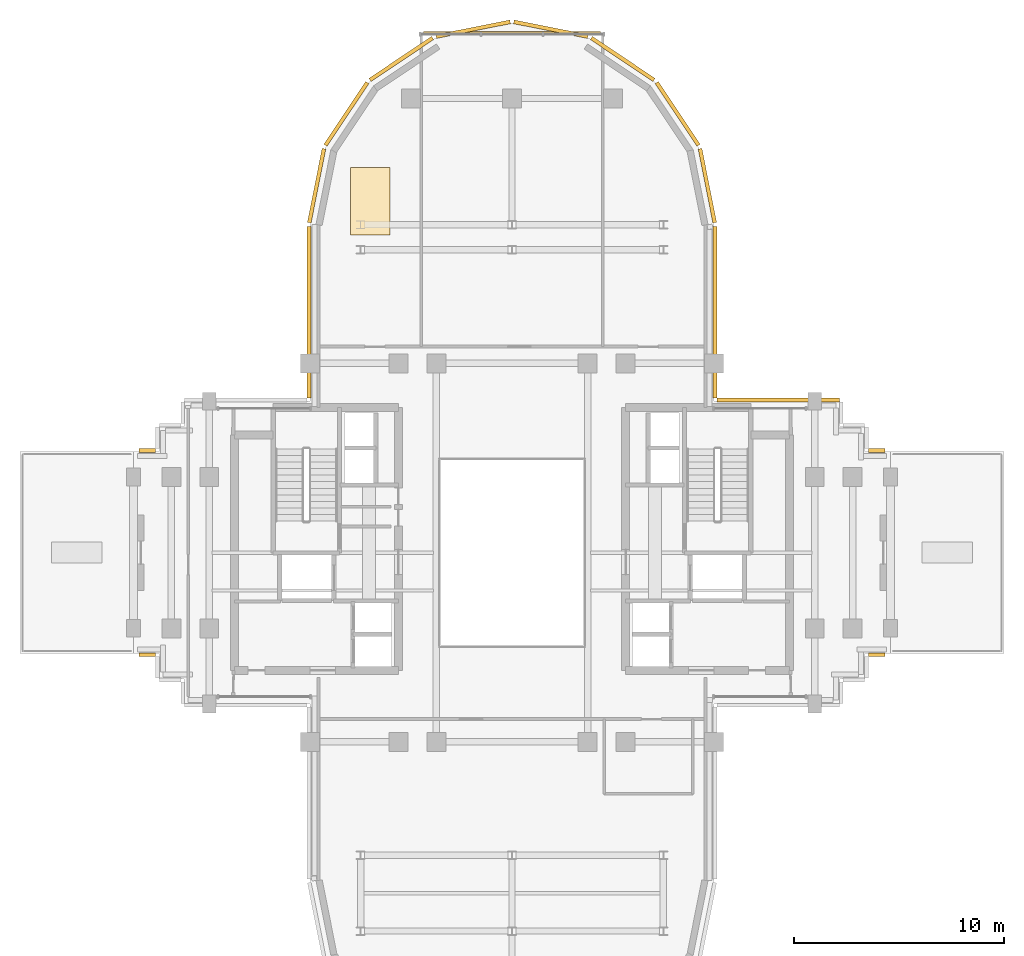
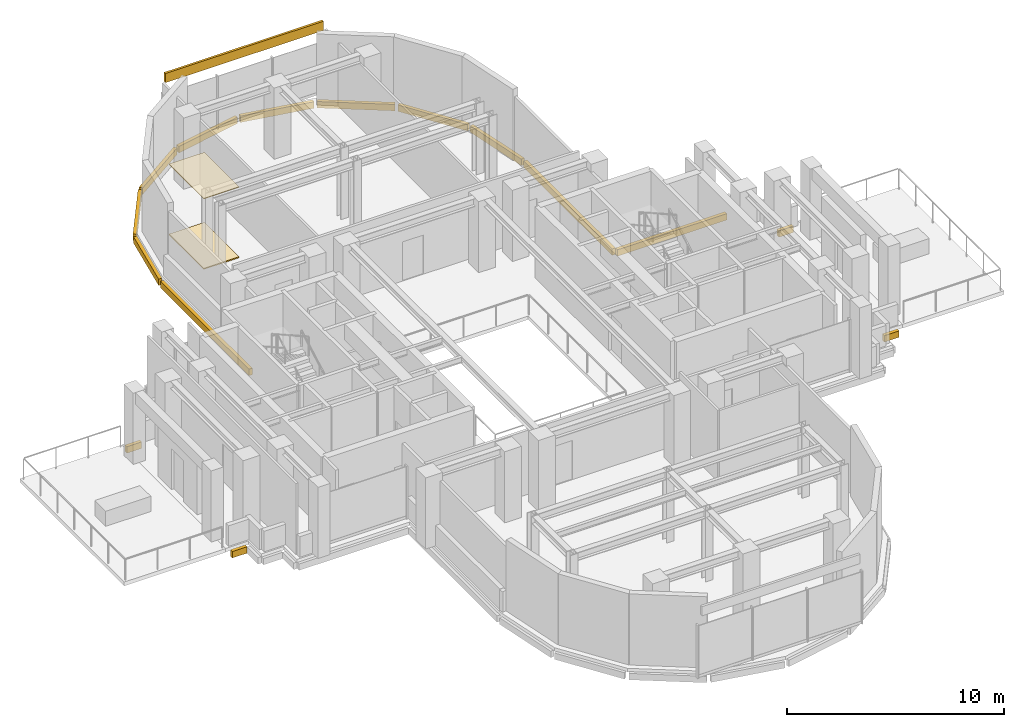
# One storey, part 11 of 12: 18 coverings.
"""IFC4 building model written with IfcOpenShell, lengths in metres."""

from ifc_helpers import new_model, si_unit, direction, frame, origin, origin_2d, place, context, subcontext, project, spatial, rectangle, extrude, source, transform, mapped, material, layer, layer_set, type_object, element, save


model = new_model("IFC4")

# Units and contexts
model_context = context("Model", 3, precision=1e-05, world=origin(), true_north=direction((0.0, 1.0)))
body_context = subcontext(model_context, "Body", "Model", "MODEL_VIEW")
ifc_project = project(units=[si_unit("LENGTHUNIT", "METRE"), si_unit("AREAUNIT", "SQUARE_METRE"), si_unit("VOLUMEUNIT", "CUBIC_METRE"), si_unit("PLANEANGLEUNIT", "RADIAN"), si_unit("MASSUNIT", "GRAM", prefix="KILO")], contexts=[model_context])

# Site, building, storey
site_placement = place(None, origin())
site = spatial("IfcSite", under=ifc_project, at=site_placement, CompositionType="ELEMENT")
building_placement = place(site_placement, origin())
building = spatial("IfcBuilding", under=site, at=building_placement, Name="Keilestroom Media Tower", CompositionType="ELEMENT")
storey_placement = place(building_placement, frame((0.0, 0.0, 156.199951171875)))
storey = spatial("IfcBuildingStorey", under=building, at=storey_placement, Name="L42", CompositionType="ELEMENT", Elevation=156.199951171875)

# Coverings
ifc_material_1 = material(Name="Precast concrete C40/50", Category="concrete")
ifc_layer_1 = layer(ifc_material_1, 0.1201171875)
ifc_layer_set_1 = layer_set([ifc_layer_1], Name="Precast concrete C40/50")
covering_type_1 = type_object("IfcCoveringType", Name="Exterior-Precast-Spandrel-Cladding-Panel-120", PredefinedType="CLADDING", material=ifc_layer_set_1)
shared_shape_1 = source(origin(), body_context, "Body", "SweptSolid", [
    extrude(rectangle(XDim=8.39990234375, YDim=0.1201171875, at=origin_2d()), origin(), (0.0, 0.0, 1.0), 0.52001953125),
])
covering_1_placement = place(storey_placement, frame((0.0, 24.719970703125, 3.489990234375), z_axis=(0.0, 0.0, 1.0), x_axis=(1.0, 0.0, 0.0)))
element("IfcCovering", 1, at=covering_1_placement, inside=storey, type_object=covering_type_1, Name="L42 Precast Spandrel Cladding N", PredefinedType="CLADDING", context=body_context, shape_type="MappedRepresentation", body=[
    mapped(shared_shape_1, transform((0.0, 0.0, 0.0), x_axis=(1.0, 0.0, 0.0), y_axis=(0.0, 1.0, 0.0), z_axis=(0.0, 0.0, 1.0), scale=1.0)),
])
shared_shape_2 = source(origin(), body_context, "Body", "SweptSolid", [
    extrude(rectangle(XDim=8.166015625, YDim=0.179931640625, at=origin_2d()), origin(), (0.0, 0.0, 1.0), 0.360107421875),
])
for number, where, z_axis, x_axis, name in (
    (2, (-9.659912109375, 11.43310546875, -0.5400390625), (0.0, 0.0, 1.0), (0.0, 1.0, 0.0), "L42 Precast Slab-Edge Fascia Cornice 26"),
    (3, (9.659912109375, 11.43310546875, -0.5400390625), (0.0, 0.0, 1.0), (0.0, -1.0, 0.0), "L42 Precast Slab-Edge Fascia Cornice 35"),
):
    element("IfcCovering", number, at=place(storey_placement, frame(where, z_axis=z_axis, x_axis=x_axis)), inside=storey, type_object=covering_type_1, Name=name, PredefinedType="CLADDING", context=body_context, shape_type="MappedRepresentation", body=[
        mapped(shared_shape_2, transform((0.0, 0.0, 0.0), x_axis=(1.0, 0.0, 0.0), y_axis=(0.0, 1.0, 0.0), z_axis=(0.0, 0.0, 1.0), scale=1.0)),
    ])
shared_shape_3 = source(origin(), body_context, "Body", "SweptSolid", [
    extrude(rectangle(XDim=3.58349609375, YDim=0.179931640625, at=origin_2d()), origin(), (0.0, 0.0, 1.0), 0.360107421875),
])
for number, where, z_axis, x_axis, name in (
    (4, (-9.29296875, 17.45166015625, -0.5400390625), (0.0, 0.0, 1.0), (0.195098880975, 0.980783577882, 0.0), "L42 Precast Slab-Edge Fascia Cornice 27"),
    (5, (9.29296875, 17.45166015625, -0.5400390625), (0.0, 0.0, 1.0), (0.195098880975, -0.980783577882, 0.0), "L42 Precast Slab-Edge Fascia Cornice 34"),
):
    element("IfcCovering", number, at=place(storey_placement, frame(where, z_axis=z_axis, x_axis=x_axis)), inside=storey, type_object=covering_type_1, Name=name, PredefinedType="CLADDING", context=body_context, shape_type="MappedRepresentation", body=[
        mapped(shared_shape_3, transform((0.0, 0.0, 0.0), x_axis=(1.0, 0.0, 0.0), y_axis=(0.0, 1.0, 0.0), z_axis=(0.0, 0.0, 1.0), scale=1.0)),
    ])
shared_shape_4 = source(origin(), body_context, "Body", "SweptSolid", [
    extrude(rectangle(XDim=3.589599609375, YDim=0.179931640625, at=origin_2d()), origin(), (0.0, 0.0, 1.0), 0.360107421875),
])
for number, where, z_axis, x_axis, name in (
    (6, (-7.878662109375, 20.8642578125, -0.5400390625), (0.0, 0.0, 1.0), (0.555574586577, 0.831466703332, 0.0), "L42 Precast Slab-Edge Fascia Cornice 28"),
    (7, (-5.264404296875, 23.478515625, -0.5400390625), (0.0, 0.0, 1.0), (0.831466703332, 0.555574586577, 0.0), "L42 Precast Slab-Edge Fascia Cornice 29"),
    (8, (-1.8486328125, 24.893310546875, -0.5400390625), (0.0, 0.0, 1.0), (0.980783577882, 0.195098880975, 0.0), "L42 Precast Slab-Edge Fascia Cornice 30"),
    (9, (1.8486328125, 24.893310546875, -0.5400390625), (0.0, 0.0, 1.0), (0.980783577882, -0.195098880975, 0.0), "L42 Precast Slab-Edge Fascia Cornice 31"),
    (10, (5.264404296875, 23.478515625, -0.5400390625), (0.0, 0.0, 1.0), (0.831466703332, -0.555574586577, 0.0), "L42 Precast Slab-Edge Fascia Cornice 32"),
    (11, (7.878662109375, 20.8642578125, -0.5400390625), (0.0, 0.0, 1.0), (0.555574586577, -0.831466703332, 0.0), "L42 Precast Slab-Edge Fascia Cornice 33"),
):
    element("IfcCovering", number, at=place(storey_placement, frame(where, z_axis=z_axis, x_axis=x_axis)), inside=storey, type_object=covering_type_1, Name=name, PredefinedType="CLADDING", context=body_context, shape_type="MappedRepresentation", body=[
        mapped(shared_shape_4, transform((0.0, 0.0, 0.0), x_axis=(1.0, 0.0, 0.0), y_axis=(0.0, 1.0, 0.0), z_axis=(0.0, 0.0, 1.0), scale=1.0)),
    ])
shared_shape_5 = source(origin(), body_context, "Body", "SweptSolid", [
    extrude(rectangle(XDim=0.780029296875, YDim=0.179931640625, at=origin_2d()), origin(), (0.0, 0.0, 1.0), 0.360107421875),
])
for number, where, z_axis, x_axis, name in (
    (12, (17.340087890625, -4.860107421875, -0.5400390625), (0.0, 0.0, 1.0), (-1.0, 0.0, 0.0), "L42 Precast Slab-Edge Fascia Cornice 01"),
    (13, (-17.340087890625, -4.860107421875, -0.5400390625), (0.0, 0.0, 1.0), (-1.0, 0.0, 0.0), "L42 Precast Slab-Edge Fascia Cornice 20"),
    (14, (-17.340087890625, 4.860107421875, -0.5400390625), (0.0, 0.0, 1.0), (1.0, 0.0, 0.0), "L42 Precast Slab-Edge Fascia Cornice 21"),
    (15, (17.340087890625, 4.860107421875, -0.5400390625), (0.0, 0.0, 1.0), (1.0, 0.0, 0.0), "L42 Precast Slab-Edge Fascia Cornice 40"),
):
    element("IfcCovering", number, at=place(storey_placement, frame(where, z_axis=z_axis, x_axis=x_axis)), inside=storey, type_object=covering_type_1, Name=name, PredefinedType="CLADDING", context=body_context, shape_type="MappedRepresentation", body=[
        mapped(shared_shape_5, transform((0.0, 0.0, 0.0), x_axis=(1.0, 0.0, 0.0), y_axis=(0.0, 1.0, 0.0), z_axis=(0.0, 0.0, 1.0), scale=1.0)),
    ])
shared_shape_6 = source(origin(), body_context, "Body", "SweptSolid", [
    extrude(rectangle(XDim=5.820068359375, YDim=0.179931640625, at=origin_2d()), origin(), (0.0, 0.0, 1.0), 0.360107421875),
])
covering_2_placement = place(storey_placement, frame((12.659912109375, 7.260009765625, -0.5400390625), z_axis=(0.0, 0.0, 1.0), x_axis=(1.0, 0.0, 0.0)))
element("IfcCovering", 16, at=covering_2_placement, inside=storey, type_object=covering_type_1, Name="L42 Precast Slab-Edge Fascia Cornice 36", PredefinedType="CLADDING", context=body_context, shape_type="MappedRepresentation", body=[
    mapped(shared_shape_6, transform((0.0, 0.0, 0.0), x_axis=(1.0, 0.0, 0.0), y_axis=(0.0, 1.0, 0.0), z_axis=(0.0, 0.0, 1.0), scale=1.0)),
])
ifc_material_2 = material(Name="Mineral-Fibre Acoustic Ceiling Tile", Category="gypsum")
ifc_layer_2 = layer(ifc_material_2, 0.0400390625)
ifc_layer_set_2 = layer_set([ifc_layer_2], Name="Mineral-Fibre Acoustic Ceiling Tile")
covering_type_2 = type_object("IfcCoveringType", Name="Suspended-Acoustic-Ceiling-40", PredefinedType="CEILING", material=ifc_layer_set_2)
shared_shape_7 = source(origin(), body_context, "Body", "SweptSolid", [
    extrude(rectangle(XDim=1.884033203125, YDim=3.199951171875, at=origin_2d()), origin(), (0.0, 0.0, 1.0), 0.0400390625),
])
covering_3_placement = place(storey_placement, frame((-6.735107421875, 16.705078125, 3.9599609375), z_axis=(0.0, 0.0, 1.0), x_axis=(1.0, 0.0, 0.0)))
element("IfcCovering", 17, at=covering_3_placement, inside=storey, type_object=covering_type_2, Name="L42 Suspended Acoustic Ceiling 1", PredefinedType="CEILING", context=body_context, shape_type="MappedRepresentation", body=[
    mapped(shared_shape_7, transform((0.0, 0.0, 0.0), x_axis=(1.0, 0.0, 0.0), y_axis=(0.0, 1.0, 0.0), z_axis=(0.0, 0.0, 1.0), scale=1.0)),
])
ifc_material_3 = material(Name="Calcium-Sulphate Raised Access Floor", Category="concrete")
ifc_layer_3 = layer(ifc_material_3, 0.06005859375)
ifc_layer_set_3 = layer_set([ifc_layer_3], Name="Calcium-Sulphate Raised Access Floor")
covering_type_3 = type_object("IfcCoveringType", Name="Raised-Access-And-Acoustic-Flooring-60", PredefinedType="FLOORING", material=ifc_layer_set_3)
shared_shape_8 = source(origin(), body_context, "Body", "SweptSolid", [
    extrude(rectangle(XDim=1.884033203125, YDim=3.199951171875, at=origin_2d()), origin(), (0.0, 0.0, 1.0), 0.06005859375),
])
covering_4_placement = place(storey_placement, frame((-6.735107421875, 16.705078125, 0.0), z_axis=(0.0, 0.0, 1.0), x_axis=(1.0, 0.0, 0.0)))
element("IfcCovering", 18, at=covering_4_placement, inside=storey, type_object=covering_type_3, Name="L42 Raised Access Flooring 1", PredefinedType="FLOORING", context=body_context, shape_type="MappedRepresentation", body=[
    mapped(shared_shape_8, transform((0.0, 0.0, 0.0), x_axis=(1.0, 0.0, 0.0), y_axis=(0.0, 1.0, 0.0), z_axis=(0.0, 0.0, 1.0), scale=1.0)),
])

save(model, "model.ifc")
